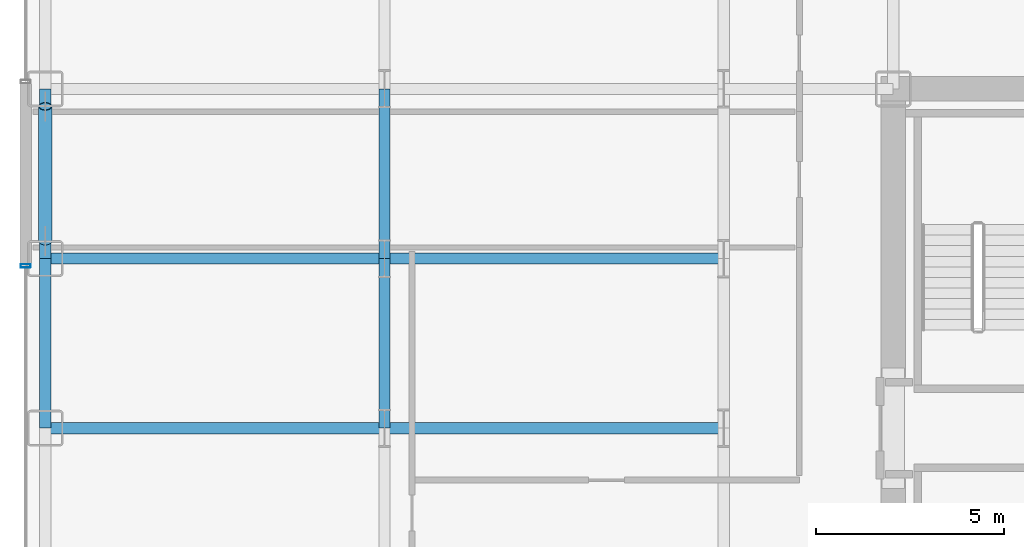
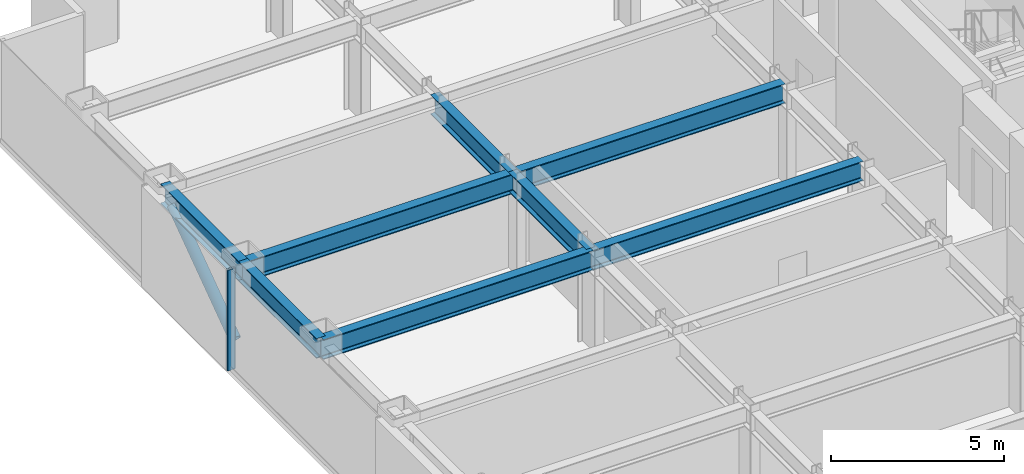
# One storey, part 6 of 29: 8 beams, 2 members, 1 element without a shape of its own.
"""IFC4 building model written with IfcOpenShell, lengths in metres."""

from ifc_helpers import new_model, si_unit, direction, frame, origin, origin_2d, place, context, subcontext, project, spatial, hollow_rectangle, hollow_circle, i_section, extrude, source, transform, mapped, material, layer, layer_set, material_profile, profile_set, type_object, element, aggregate, save


model = new_model("IFC4")

# Units and contexts
model_context = context("Model", 3, precision=1e-05, world=origin(), true_north=direction((0.0, 1.0)))
body_context = subcontext(model_context, "Body", "Model", "MODEL_VIEW")
ifc_project = project(units=[si_unit("LENGTHUNIT", "METRE"), si_unit("AREAUNIT", "SQUARE_METRE"), si_unit("VOLUMEUNIT", "CUBIC_METRE"), si_unit("PLANEANGLEUNIT", "RADIAN"), si_unit("MASSUNIT", "GRAM", prefix="KILO")], contexts=[model_context])

# Site, building, storey
site_placement = place(None, origin())
site = spatial("IfcSite", under=ifc_project, at=site_placement, CompositionType="ELEMENT")
building_placement = place(site_placement, origin())
building = spatial("IfcBuilding", under=site, at=building_placement, Name="Nefas-Gora Pilgrimage Tower", CompositionType="ELEMENT")
storey_placement = place(building_placement, frame((0.0, 0.0, 44.39990234375)))
storey = spatial("IfcBuildingStorey", under=building, at=storey_placement, Name="L09", CompositionType="ELEMENT", Elevation=44.39990234375)

# Beams
ifc_material_1 = material(Name="Steel S355", Category="steel")
ifc_material_profile_1 = material_profile(ifc_material_1, i_section(OverallWidth=0.300048828125, OverallDepth=0.699951171875, WebThickness=0.01708984375, FlangeThickness=0.031982421875, FilletRadius=0.027099609375, at=origin_2d()), Name="HEB 700")
ifc_profile_set_1 = profile_set([ifc_material_profile_1], Name="Steel S355")
beam_type_1 = type_object("IfcBeamType", Name="BM-SPN-HEB600", PredefinedType="SPANDREL", material=ifc_profile_set_1)
shared_shape_1 = source(origin(), body_context, "Body", "SweptSolid", [
    extrude(i_section(OverallWidth=0.300048828125, OverallDepth=0.699951171875, WebThickness=0.01708984375, FlangeThickness=0.031982421875, FilletRadius=0.027099609375, at=origin_2d()), origin(), (0.0, 0.0, 1.0), 4.5),
])
for number, where, z_axis, x_axis, name in (
    (1, (-33.75, 0.0, 3.2001953125), (0.0, 1.0, 0.0), (-1.0, 0.0, 0.0), "L09 SP-01 beam"),
    (2, (-33.75, 4.5, 3.2001953125), (0.0, 1.0, 0.0), (-1.0, 0.0, 0.0), "L09 SP-01 beam"),
):
    element("IfcBeam", number, at=place(storey_placement, frame(where, z_axis=z_axis, x_axis=x_axis)), inside=storey, type_object=beam_type_1, Name=name, PredefinedType="SPANDREL", context=body_context, shape_type="MappedRepresentation", body=[
        mapped(shared_shape_1, transform((0.0, 0.0, 0.0), x_axis=(1.0, 0.0, 0.0), y_axis=(0.0, 1.0, 0.0), z_axis=(0.0, 0.0, 1.0), scale=1.0)),
    ])
ifc_material_profile_2 = material_profile(ifc_material_1, i_section(OverallWidth=0.300048828125, OverallDepth=0.699951171875, WebThickness=0.01708984375, FlangeThickness=0.031982421875, FilletRadius=0.027099609375, at=origin_2d()), Name="HEB 700")
ifc_profile_set_2 = profile_set([ifc_material_profile_2], Name="Steel S355")
beam_type_2 = type_object("IfcBeamType", Name="BM-GIR-HEB700", PredefinedType="BEAM", material=ifc_profile_set_2)
shared_shape_2 = source(origin(), body_context, "Body", "SweptSolid", [
    extrude(i_section(OverallWidth=0.300048828125, OverallDepth=0.699951171875, WebThickness=0.01708984375, FlangeThickness=0.031982421875, FilletRadius=0.027099609375, at=origin_2d()), origin(), (0.0, 0.0, 1.0), 9.0),
])
for number, where, z_axis, x_axis, name in (
    (3, (-33.75, 0.0, 3.2001953125), (1.0, 0.0, 0.0), (0.0, 1.0, 0.0), "L09 G-02 beam"),
    (4, (-33.75, 4.5, 3.2001953125), (1.0, 0.0, 0.0), (0.0, 1.0, 0.0), "L09 G-02 beam"),
    (5, (-24.75, 0.0, 3.2001953125), (1.0, 0.0, 0.0), (0.0, 1.0, 0.0), "L09 G-02 beam"),
    (6, (-24.75, 4.5, 3.2001953125), (1.0, 0.0, 0.0), (0.0, 1.0, 0.0), "L09 G-02 beam"),
):
    element("IfcBeam", number, at=place(storey_placement, frame(where, z_axis=z_axis, x_axis=x_axis)), inside=storey, type_object=beam_type_2, Name=name, PredefinedType="BEAM", context=body_context, shape_type="MappedRepresentation", body=[
        mapped(shared_shape_2, transform((0.0, 0.0, 0.0), x_axis=(1.0, 0.0, 0.0), y_axis=(0.0, 1.0, 0.0), z_axis=(0.0, 0.0, 1.0), scale=1.0)),
    ])
shared_shape_3 = source(origin(), body_context, "Body", "SweptSolid", [
    extrude(i_section(OverallWidth=0.300048828125, OverallDepth=0.699951171875, WebThickness=0.01708984375, FlangeThickness=0.031982421875, FilletRadius=0.027099609375, at=origin_2d()), origin(), (0.0, 0.0, 1.0), 4.5),
])
for number, where, z_axis, x_axis, name in (
    (7, (-24.75, 0.0, 3.2001953125), (0.0, 1.0, 0.0), (-1.0, 0.0, 0.0), "L09 G-02 beam"),
    (8, (-24.75, 4.5, 3.2001953125), (0.0, 1.0, 0.0), (-1.0, 0.0, 0.0), "L09 G-02 beam"),
):
    element("IfcBeam", number, at=place(storey_placement, frame(where, z_axis=z_axis, x_axis=x_axis)), inside=storey, type_object=beam_type_2, Name=name, PredefinedType="BEAM", context=body_context, shape_type="MappedRepresentation", body=[
        mapped(shared_shape_3, transform((0.0, 0.0, 0.0), x_axis=(1.0, 0.0, 0.0), y_axis=(0.0, 1.0, 0.0), z_axis=(0.0, 0.0, 1.0), scale=1.0)),
    ])

# Member
ifc_material_2 = material(Name="Steel S460", Category="steel")
ifc_material_profile_3 = material_profile(ifc_material_2, hollow_circle(Radius=0.177734375, WallThickness=0.02001953125, at=origin_2d()), Name="CHS 355.6x20")
ifc_profile_set_3 = profile_set([ifc_material_profile_3], Name="Steel S460")
member_type_1 = type_object("IfcMemberType", Name="MEM-TUBE-356", PredefinedType="BRACE", material=ifc_profile_set_3)
shared_shape_4 = source(origin(), body_context, "Body", "SweptSolid", [
    extrude(hollow_circle(Radius=0.177734375, WallThickness=0.02001953125, at=origin_2d()), origin(), (0.0, 0.0, 1.0), 4.39501953125),
])
member_1_placement = place(storey_placement, frame((-33.75, 4.962890625, 0.4814453125), z_axis=(0.0, 0.813264026864, 0.581894855287), x_axis=(-1.0, 0.0, 0.0)))
element("IfcMember", 9, at=member_1_placement, inside=storey, type_object=member_type_1, Name="L09 Perimeter Tube Diagonal Brace W2", PredefinedType="BRACE", context=body_context, shape_type="MappedRepresentation", body=[
    mapped(shared_shape_4, transform((0.0, 0.0, 0.0), x_axis=(1.0, 0.0, 0.0), y_axis=(0.0, 1.0, 0.0), z_axis=(0.0, 0.0, 1.0), scale=1.0)),
])

# Curtain wall, member
ifc_material_3 = material(Name="Dark ceramic-fritted solar-control aluminium-glass curtain wall", Category="aluminium")
ifc_layer = layer(ifc_material_3, 0.219970703125)
ifc_layer_set = layer_set([ifc_layer], Name="Dark ceramic-fritted solar-control aluminium-glass curtain wall")
curtain_wall_type = type_object("IfcCurtainWallType", Name="CW-SYS-2", PredefinedType="NOTDEFINED", material=ifc_layer_set)
curtain_wall_placement = place(storey_placement, origin())
curtain_wall = element("IfcCurtainWall", 10, at=curtain_wall_placement, inside=storey, type_object=curtain_wall_type, Name="L09 Unitised Curtain Wall CW2", PredefinedType="NOTDEFINED")
ifc_material_4 = material(Name="Anodised architectural aluminium", Category="aluminium")
ifc_material_profile_4 = material_profile(ifc_material_4, hollow_rectangle(XDim=0.090087890625, YDim=0.260009765625, WallThickness=0.006103515625, InnerFilletRadius=0.006103515625, OuterFilletRadius=0.011962890625, at=origin_2d()), Name="ALU MULLION 90x260")
ifc_profile_set_4 = profile_set([ifc_material_profile_4], Name="Anodised architectural aluminium")
member_type_2 = type_object("IfcMemberType", Name="CWM-MUL-2", PredefinedType="MULLION", material=ifc_profile_set_4)
shared_shape_5 = source(origin(), body_context, "Body", "SweptSolid", [
    extrude(hollow_rectangle(XDim=0.090087890625, YDim=0.260009765625, WallThickness=0.006103515625, InnerFilletRadius=0.006103515625, OuterFilletRadius=0.011962890625, at=origin_2d()), origin(), (0.0, 0.0, 1.0), 3.550048828125),
])
member_2_placement = place(storey_placement, frame((-34.27001953125, 4.304931640625, 0.0), z_axis=(0.0, 0.0, 1.0), x_axis=(0.0, -1.0, 0.0)))
member_2 = element("IfcMember", 11, at=member_2_placement, type_object=member_type_2, Name="CW2 Mullion 1", PredefinedType="MULLION", context=body_context, shape_type="MappedRepresentation", body=[
    mapped(shared_shape_5, transform((0.0, 0.0, 0.0), x_axis=(1.0, 0.0, 0.0), y_axis=(0.0, 1.0, 0.0), z_axis=(0.0, 0.0, 1.0), scale=1.0)),
])
aggregate(curtain_wall, [member_2])

save(model, "model.ifc")
